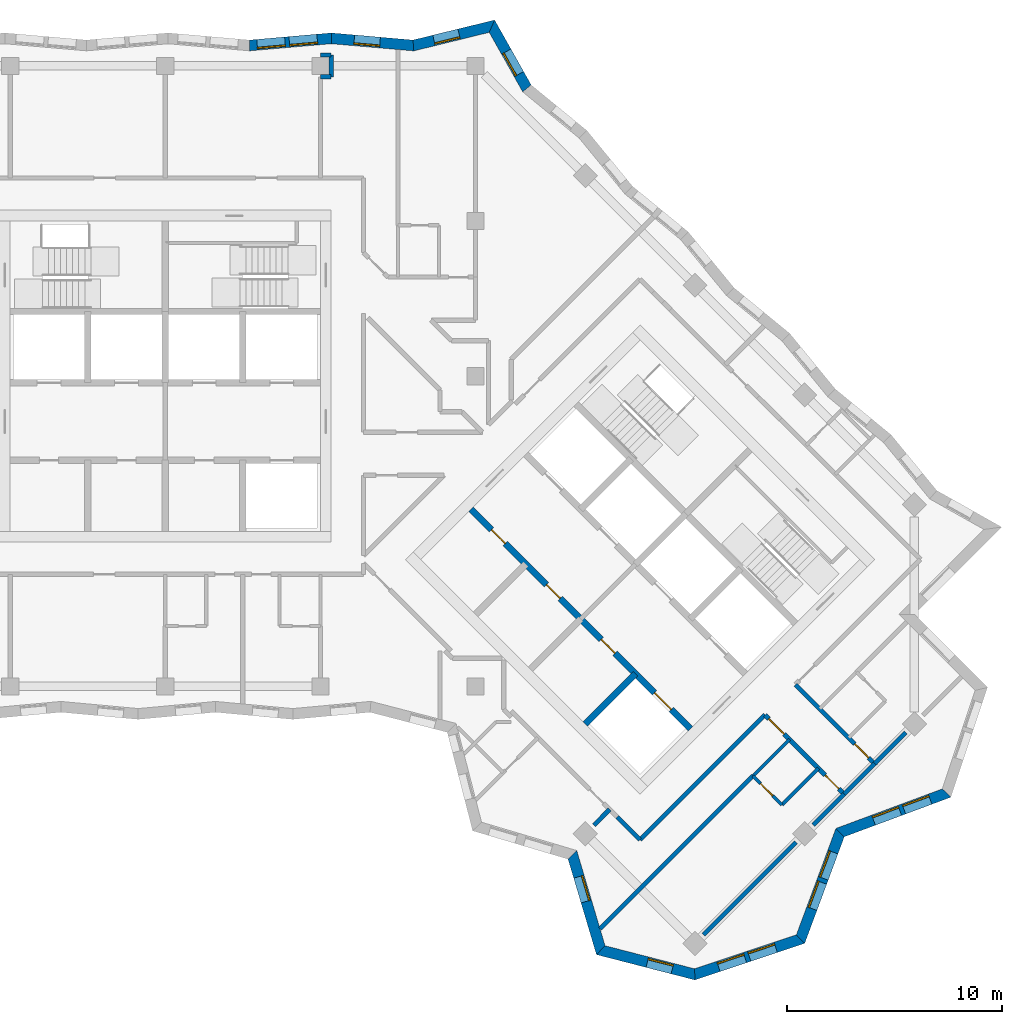
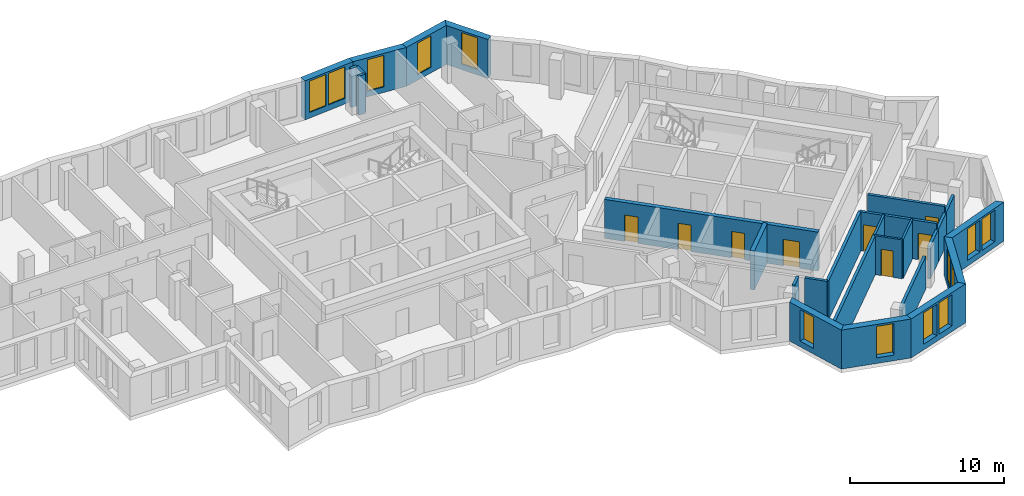
# One storey, part 7 of 11: 27 walls, 13 windows, 8 doors, 21 openings.
"""IFC4 building model written with IfcOpenShell, lengths in metres."""

from ifc_helpers import new_model, si_unit, direction, frame, frame_2d, origin, place, context, subcontext, project, spatial, polyline, rectangle, outline, extrude, material, layer, layer_set, type_object, element, fill, save


model = new_model("IFC4")

# Units and contexts
model_context = context("Model", 3, precision=1e-05, world=origin(), true_north=direction((0.0, 1.0)))
body_context = subcontext(model_context, "Body", "Model", "MODEL_VIEW")
ifc_project = project(units=[si_unit("LENGTHUNIT", "METRE"), si_unit("AREAUNIT", "SQUARE_METRE"), si_unit("VOLUMEUNIT", "CUBIC_METRE"), si_unit("PLANEANGLEUNIT", "RADIAN"), si_unit("MASSUNIT", "GRAM", prefix="KILO")], contexts=[model_context])

# Site, building, storey
site_placement = place(None, origin())
site = spatial("IfcSite", under=ifc_project, at=site_placement, CompositionType="ELEMENT")
building_placement = place(site_placement, origin())
building = spatial("IfcBuilding", under=site, at=building_placement, Name="Windrow Commons", CompositionType="ELEMENT")
storey_placement = place(building_placement, frame((0.0, 0.0, 193.0)))
storey = spatial("IfcBuildingStorey", under=building, at=storey_placement, Name="L52", CompositionType="ELEMENT", Elevation=193.0)

# Wall, openings, windows
ifc_material_1 = material(Name="Brick masonry, red clay brick", Category="masonry")
ifc_layer_1 = layer(ifc_material_1, 0.5)
ifc_layer_set_1 = layer_set([ifc_layer_1], Name="Brick facade wall 500")
wall_type_1 = type_object("IfcWallType", Name="Brick facade wall 500", PredefinedType="SOLIDWALL", material=ifc_layer_set_1)
wall_1_placement = place(storey_placement, frame((89.3732, 29.8341, 0.0), z_axis=(0.0, 0.0, 1.0), x_axis=(0.9486871642, 0.3162161674, 0.0)))
wall_1 = element("IfcWall", 1, at=wall_1_placement, inside=storey, type_object=wall_type_1, Name="Brick facade wall L52 1", PredefinedType="SOLIDWALL", context=body_context, shape_type="SweptSolid", body=[
    extrude(outline(polyline([(-0.0738, -0.25), (5.2928, -0.25), (5.0533, 0.25), (0.0738, 0.25), (-0.0738, -0.25)])), origin(), (0.0, 0.0, 1.0), 3.1),
])
opening_1_placement = place(wall_1_placement, frame((1.1581, 0.0, 0.45)))
opening_1 = element("IfcOpeningElement", 2, at=opening_1_placement, cuts=wall_1, Name="Opening W1Q", PredefinedType="OPENING", context=body_context, shape_type="SweptSolid", body=[
    extrude(rectangle(XDim=1.3, YDim=2.5, at=frame_2d((0.65, 1.25))), frame((0.0, 0.26, 0.0), z_axis=(0.0, -1.0, 0.0), x_axis=(1.0, 0.0, 0.0)), (0.0, 0.0, 1.0), 0.52),
])
opening_2_placement = place(wall_1_placement, frame((2.6581, 0.0, 0.45)))
opening_2 = element("IfcOpeningElement", 3, at=opening_2_placement, cuts=wall_1, Name="Opening W1Q", PredefinedType="OPENING", context=body_context, shape_type="SweptSolid", body=[
    extrude(rectangle(XDim=1.3, YDim=2.5, at=frame_2d((0.65, 1.25))), frame((0.0, 0.26, 0.0), z_axis=(0.0, -1.0, 0.0), x_axis=(1.0, 0.0, 0.0)), (0.0, 0.0, 1.0), 0.52),
])
ifc_material_2 = material(Name="Clear float glass in anodised aluminium frame", Category="aluminium")
window_type_1 = type_object("IfcWindowType", Name="Window W1Q pair 1300x2500", PartitioningType="SINGLE_PANEL", PredefinedType="WINDOW", material=ifc_material_2)
window_1_placement = place(opening_1_placement, origin())
window_1 = element("IfcWindow", 4, at=window_1_placement, inside=storey, type_object=window_type_1, Name="Window L52 1.1A", OverallHeight=2.5, OverallWidth=1.3, PartitioningType="SINGLE_PANEL", PredefinedType="WINDOW", context=body_context, shape_type="SweptSolid", body=[
    extrude(rectangle(XDim=1.3, YDim=2.5, at=frame_2d((0.65, 1.25))), frame((0.0, 0.18, 0.0), z_axis=(0.0, -1.0, 0.0), x_axis=(1.0, 0.0, 0.0)), (0.0, 0.0, 1.0), 0.06),
])
fill(opening_1, window_1)
window_2_placement = place(opening_2_placement, origin())
window_2 = element("IfcWindow", 5, at=window_2_placement, inside=storey, type_object=window_type_1, Name="Window L52 1.1B", OverallHeight=2.5, OverallWidth=1.3, PartitioningType="SINGLE_PANEL", PredefinedType="WINDOW", context=body_context, shape_type="SweptSolid", body=[
    extrude(rectangle(XDim=1.3, YDim=2.5, at=frame_2d((0.65, 1.25))), frame((0.0, 0.18, 0.0), z_axis=(0.0, -1.0, 0.0), x_axis=(1.0, 0.0, 0.0)), (0.0, 0.0, 1.0), 0.06),
])
fill(opening_2, window_2)

wall_2_placement = place(storey_placement, frame((94.2808, 31.4699, 0.0), z_axis=(0.0, 0.0, 1.0), x_axis=(0.3481903374, 0.9374238577, 0.0)))
wall_2 = element("IfcWall", 6, at=wall_2_placement, inside=storey, type_object=wall_type_1, Name="Brick facade wall L52 2", PredefinedType="SOLIDWALL", context=body_context, shape_type="SweptSolid", body=[
    extrude(outline(polyline([(-0.1197, -0.25), (5.1604, -0.25), (5.3896, 0.25), (0.1197, 0.25), (-0.1197, -0.25)])), origin(), (0.0, 0.0, 1.0), 3.1),
])
opening_3_placement = place(wall_2_placement, frame((1.5123, 0.0, 0.45)))
opening_3 = element("IfcOpeningElement", 7, at=opening_3_placement, cuts=wall_2, Name="Opening W1Q", PredefinedType="OPENING", context=body_context, shape_type="SweptSolid", body=[
    extrude(rectangle(XDim=1.3, YDim=2.5, at=frame_2d((0.65, 1.25))), frame((0.0, 0.26, 0.0), z_axis=(0.0, -1.0, 0.0), x_axis=(1.0, 0.0, 0.0)), (0.0, 0.0, 1.0), 0.52),
])
opening_4_placement = place(wall_2_placement, frame((3.0123, 0.0, 0.45)))
opening_4 = element("IfcOpeningElement", 8, at=opening_4_placement, cuts=wall_2, Name="Opening W1Q", PredefinedType="OPENING", context=body_context, shape_type="SweptSolid", body=[
    extrude(rectangle(XDim=1.3, YDim=2.5, at=frame_2d((0.65, 1.25))), frame((0.0, 0.26, 0.0), z_axis=(0.0, -1.0, 0.0), x_axis=(1.0, 0.0, 0.0)), (0.0, 0.0, 1.0), 0.52),
])
window_3_placement = place(opening_3_placement, origin())
window_3 = element("IfcWindow", 9, at=window_3_placement, inside=storey, type_object=window_type_1, Name="Window L52 2.1A", OverallHeight=2.5, OverallWidth=1.3, PartitioningType="SINGLE_PANEL", PredefinedType="WINDOW", context=body_context, shape_type="SweptSolid", body=[
    extrude(rectangle(XDim=1.3, YDim=2.5, at=frame_2d((0.65, 1.25))), frame((0.0, 0.18, 0.0), z_axis=(0.0, -1.0, 0.0), x_axis=(1.0, 0.0, 0.0)), (0.0, 0.0, 1.0), 0.06),
])
fill(opening_3, window_3)
window_4_placement = place(opening_4_placement, origin())
window_4 = element("IfcWindow", 10, at=window_4_placement, inside=storey, type_object=window_type_1, Name="Window L52 2.1B", OverallHeight=2.5, OverallWidth=1.3, PartitioningType="SINGLE_PANEL", PredefinedType="WINDOW", context=body_context, shape_type="SweptSolid", body=[
    extrude(rectangle(XDim=1.3, YDim=2.5, at=frame_2d((0.65, 1.25))), frame((0.0, 0.18, 0.0), z_axis=(0.0, -1.0, 0.0), x_axis=(1.0, 0.0, 0.0)), (0.0, 0.0, 1.0), 0.06),
])
fill(opening_4, window_4)

wall_3_placement = place(storey_placement, frame((96.1175, 36.4148, 0.0), z_axis=(0.0, 0.0, 1.0), x_axis=(0.9374238577, 0.3481903374, 0.0)))
wall_3 = element("IfcWall", 11, at=wall_3_placement, inside=storey, type_object=wall_type_1, Name="Brick facade wall L52 3", PredefinedType="SOLIDWALL", context=body_context, shape_type="SweptSolid", body=[
    extrude(outline(polyline([(0.1146, -0.25), (5.3947, -0.25), (5.1552, 0.25), (-0.1146, 0.25), (0.1146, -0.25)])), origin(), (0.0, 0.0, 1.0), 3.1),
])
opening_5_placement = place(wall_3_placement, frame((1.655, 0.0, 0.45)))
opening_5 = element("IfcOpeningElement", 12, at=opening_5_placement, cuts=wall_3, Name="Opening W1Q", PredefinedType="OPENING", context=body_context, shape_type="SweptSolid", body=[
    extrude(rectangle(XDim=1.3, YDim=2.5, at=frame_2d((0.65, 1.25))), frame((0.0, 0.26, 0.0), z_axis=(0.0, -1.0, 0.0), x_axis=(1.0, 0.0, 0.0)), (0.0, 0.0, 1.0), 0.52),
])
opening_6_placement = place(wall_3_placement, frame((3.155, 0.0, 0.45)))
opening_6 = element("IfcOpeningElement", 13, at=opening_6_placement, cuts=wall_3, Name="Opening W1Q", PredefinedType="OPENING", context=body_context, shape_type="SweptSolid", body=[
    extrude(rectangle(XDim=1.3, YDim=2.5, at=frame_2d((0.65, 1.25))), frame((0.0, 0.26, 0.0), z_axis=(0.0, -1.0, 0.0), x_axis=(1.0, 0.0, 0.0)), (0.0, 0.0, 1.0), 0.52),
])
window_5_placement = place(opening_5_placement, origin())
window_5 = element("IfcWindow", 14, at=window_5_placement, inside=storey, type_object=window_type_1, Name="Window L52 3.1A", OverallHeight=2.5, OverallWidth=1.3, PartitioningType="SINGLE_PANEL", PredefinedType="WINDOW", context=body_context, shape_type="SweptSolid", body=[
    extrude(rectangle(XDim=1.3, YDim=2.5, at=frame_2d((0.65, 1.25))), frame((0.0, 0.18, 0.0), z_axis=(0.0, -1.0, 0.0), x_axis=(1.0, 0.0, 0.0)), (0.0, 0.0, 1.0), 0.06),
])
fill(opening_5, window_5)
window_6_placement = place(opening_6_placement, origin())
window_6 = element("IfcWindow", 15, at=window_6_placement, inside=storey, type_object=window_type_1, Name="Window L52 3.1B", OverallHeight=2.5, OverallWidth=1.3, PartitioningType="SINGLE_PANEL", PredefinedType="WINDOW", context=body_context, shape_type="SweptSolid", body=[
    extrude(rectangle(XDim=1.3, YDim=2.5, at=frame_2d((0.65, 1.25))), frame((0.0, 0.18, 0.0), z_axis=(0.0, -1.0, 0.0), x_axis=(1.0, 0.0, 0.0)), (0.0, 0.0, 1.0), 0.06),
])
fill(opening_6, window_6)

# Wall, opening, window
wall_4_placement = place(storey_placement, frame((81.5833, 70.9554, 0.0), z_axis=(0.0, 0.0, 1.0), x_axis=(-0.4907169028, 0.8713190697, 0.0)))
wall_4 = element("IfcWall", 16, at=wall_4_placement, inside=storey, type_object=wall_type_1, Name="Brick facade wall L52 16", PredefinedType="SOLIDWALL", context=body_context, shape_type="SweptSolid", body=[
    extrude(outline(polyline([(0.047, -0.25), (3.5027, -0.25), (3.1231, 0.25), (-0.047, 0.25), (0.047, -0.25)])), origin(), (0.0, 0.0, 1.0), 3.1),
])
opening_7_placement = place(wall_4_placement, frame((0.7584, 0.0, 0.45)))
opening_7 = element("IfcOpeningElement", 17, at=opening_7_placement, cuts=wall_4, Name="Opening W7E", PredefinedType="OPENING", context=body_context, shape_type="SweptSolid", body=[
    extrude(rectangle(XDim=1.2, YDim=2.5, at=frame_2d((0.6, 1.25))), frame((0.0, 0.26, 0.0), z_axis=(0.0, -1.0, 0.0), x_axis=(1.0, 0.0, 0.0)), (0.0, 0.0, 1.0), 0.52),
])
ifc_material_3 = material(Name="Clear float glass in anodised aluminium frame", Category="aluminium")
window_type_2 = type_object("IfcWindowType", Name="Window W7 notch 1200x2500", PartitioningType="SINGLE_PANEL", PredefinedType="WINDOW", material=ifc_material_3)
window_7_placement = place(opening_7_placement, origin())
window_7 = element("IfcWindow", 18, at=window_7_placement, inside=storey, type_object=window_type_2, Name="Window L52 16.1", OverallHeight=2.5, OverallWidth=1.2, PartitioningType="SINGLE_PANEL", PredefinedType="WINDOW", context=body_context, shape_type="SweptSolid", body=[
    extrude(rectangle(XDim=1.2, YDim=2.5, at=frame_2d((0.6, 1.25))), frame((0.0, 0.18, 0.0), z_axis=(0.0, -1.0, 0.0), x_axis=(1.0, 0.0, 0.0)), (0.0, 0.0, 1.0), 0.06),
])
fill(opening_7, window_7)

wall_5_placement = place(storey_placement, frame((79.9576, 73.842, 0.0), z_axis=(0.0, 0.0, 1.0), x_axis=(-0.9711637083, -0.2384136147, 0.0)))
wall_5 = element("IfcWall", 19, at=wall_5_placement, inside=storey, type_object=wall_type_1, Name="Brick facade wall L52 17", PredefinedType="SOLIDWALL", context=body_context, shape_type="SweptSolid", body=[
    extrude(outline(polyline([(-0.1898, -0.25), (3.711, -0.25), (3.7936, 0.25), (0.1898, 0.25), (-0.1898, -0.25)])), origin(), (0.0, 0.0, 1.0), 3.1),
])
opening_8_placement = place(wall_5_placement, frame((1.5662, 0.0, 0.45)))
opening_8 = element("IfcOpeningElement", 20, at=opening_8_placement, cuts=wall_5, Name="Opening W7E", PredefinedType="OPENING", context=body_context, shape_type="SweptSolid", body=[
    extrude(rectangle(XDim=1.2, YDim=2.5, at=frame_2d((0.6, 1.25))), frame((0.0, 0.26, 0.0), z_axis=(0.0, -1.0, 0.0), x_axis=(1.0, 0.0, 0.0)), (0.0, 0.0, 1.0), 0.52),
])
window_8_placement = place(opening_8_placement, origin())
window_8 = element("IfcWindow", 21, at=window_8_placement, inside=storey, type_object=window_type_2, Name="Window L52 17.1", OverallHeight=2.5, OverallWidth=1.2, PartitioningType="SINGLE_PANEL", PredefinedType="WINDOW", context=body_context, shape_type="SweptSolid", body=[
    extrude(rectangle(XDim=1.2, YDim=2.5, at=frame_2d((0.6, 1.25))), frame((0.0, 0.18, 0.0), z_axis=(0.0, -1.0, 0.0), x_axis=(1.0, 0.0, 0.0)), (0.0, 0.0, 1.0), 0.06),
])
fill(opening_8, window_8)

wall_6_placement = place(storey_placement, frame((76.3135, 72.9474, 0.0), z_axis=(0.0, 0.0, 1.0), x_axis=(-0.9962271263, 0.0867842891, 0.0)))
wall_6 = element("IfcWall", 22, at=wall_6_placement, inside=storey, type_object=wall_type_1, Name="Brick facade wall L52 18", PredefinedType="SOLIDWALL", context=body_context, shape_type="SweptSolid", body=[
    extrude(outline(polyline([(0.0413, -0.25), (3.8439, -0.25), (3.8004, 0.25), (-0.0413, 0.25), (0.0413, -0.25)])), origin(), (0.0, 0.0, 1.0), 3.1),
])
opening_9_placement = place(wall_6_placement, frame((1.5583, 0.0, 0.45)))
opening_9 = element("IfcOpeningElement", 23, at=opening_9_placement, cuts=wall_6, Name="Opening W7E", PredefinedType="OPENING", context=body_context, shape_type="SweptSolid", body=[
    extrude(rectangle(XDim=1.2, YDim=2.5, at=frame_2d((0.6, 1.25))), frame((0.0, 0.26, 0.0), z_axis=(0.0, -1.0, 0.0), x_axis=(1.0, 0.0, 0.0)), (0.0, 0.0, 1.0), 0.52),
])
window_9_placement = place(opening_9_placement, origin())
window_9 = element("IfcWindow", 24, at=window_9_placement, inside=storey, type_object=window_type_2, Name="Window L52 18.1", OverallHeight=2.5, OverallWidth=1.2, PartitioningType="SINGLE_PANEL", PredefinedType="WINDOW", context=body_context, shape_type="SweptSolid", body=[
    extrude(rectangle(XDim=1.2, YDim=2.5, at=frame_2d((0.6, 1.25))), frame((0.0, 0.18, 0.0), z_axis=(0.0, -1.0, 0.0), x_axis=(1.0, 0.0, 0.0)), (0.0, 0.0, 1.0), 0.06),
])
fill(opening_9, window_9)

# Wall, openings, windows
wall_7_placement = place(storey_placement, frame((72.5058, 73.2791, 0.0), z_axis=(0.0, 0.0, 1.0), x_axis=(-0.9962273538, -0.0867816769, 0.0)))
wall_7 = element("IfcWall", 25, at=wall_7_placement, inside=storey, type_object=wall_type_1, Name="Brick facade wall L52 19", PredefinedType="SOLIDWALL", context=body_context, shape_type="SweptSolid", body=[
    extrude(outline(polyline([(-0.0218, -0.25), (3.7808, -0.25), (3.8244, 0.25), (0.0218, 0.25), (-0.0218, -0.25)])), origin(), (0.0, 0.0, 1.0), 3.1),
])
opening_10_placement = place(wall_7_placement, frame((0.6552, 0.0, 0.45)))
opening_10 = element("IfcOpeningElement", 26, at=opening_10_placement, cuts=wall_7, Name="Opening W1Q", PredefinedType="OPENING", context=body_context, shape_type="SweptSolid", body=[
    extrude(rectangle(XDim=1.3, YDim=2.5, at=frame_2d((0.65, 1.25))), frame((0.0, 0.26, 0.0), z_axis=(0.0, -1.0, 0.0), x_axis=(1.0, 0.0, 0.0)), (0.0, 0.0, 1.0), 0.52),
])
opening_11_placement = place(wall_7_placement, frame((2.1552, 0.0, 0.45)))
opening_11 = element("IfcOpeningElement", 27, at=opening_11_placement, cuts=wall_7, Name="Opening W1Q", PredefinedType="OPENING", context=body_context, shape_type="SweptSolid", body=[
    extrude(rectangle(XDim=1.3, YDim=2.5, at=frame_2d((0.65, 1.25))), frame((0.0, 0.26, 0.0), z_axis=(0.0, -1.0, 0.0), x_axis=(1.0, 0.0, 0.0)), (0.0, 0.0, 1.0), 0.52),
])
window_10_placement = place(opening_10_placement, origin())
window_10 = element("IfcWindow", 28, at=window_10_placement, inside=storey, type_object=window_type_1, Name="Window L52 19.1A", OverallHeight=2.5, OverallWidth=1.3, PartitioningType="SINGLE_PANEL", PredefinedType="WINDOW", context=body_context, shape_type="SweptSolid", body=[
    extrude(rectangle(XDim=1.3, YDim=2.5, at=frame_2d((0.65, 1.25))), frame((0.0, 0.18, 0.0), z_axis=(0.0, -1.0, 0.0), x_axis=(1.0, 0.0, 0.0)), (0.0, 0.0, 1.0), 0.06),
])
fill(opening_10, window_10)
window_11_placement = place(opening_11_placement, origin())
window_11 = element("IfcWindow", 29, at=window_11_placement, inside=storey, type_object=window_type_1, Name="Window L52 19.1B", OverallHeight=2.5, OverallWidth=1.3, PartitioningType="SINGLE_PANEL", PredefinedType="WINDOW", context=body_context, shape_type="SweptSolid", body=[
    extrude(rectangle(XDim=1.3, YDim=2.5, at=frame_2d((0.65, 1.25))), frame((0.0, 0.18, 0.0), z_axis=(0.0, -1.0, 0.0), x_axis=(1.0, 0.0, 0.0)), (0.0, 0.0, 1.0), 0.06),
])
fill(opening_11, window_11)

# Wall, opening, window
wall_8_placement = place(storey_placement, frame((83.6937, 35.3814, 0.0), z_axis=(0.0, 0.0, 1.0), x_axis=(0.2852661522, -0.958448341, 0.0)))
wall_8 = element("IfcWall", 30, at=wall_8_placement, inside=storey, type_object=wall_type_1, Name="Brick facade wall L52 50", PredefinedType="SOLIDWALL", context=body_context, shape_type="SweptSolid", body=[
    extrude(outline(polyline([(0.1353, -0.25), (4.7571, -0.25), (4.4743, 0.25), (-0.1353, 0.25), (0.1353, -0.25)])), origin(), (0.0, 0.0, 1.0), 3.1),
])
opening_12_placement = place(wall_8_placement, frame((1.0553, 0.0, 0.45)))
opening_12 = element("IfcOpeningElement", 31, at=opening_12_placement, cuts=wall_8, Name="Opening W7E", PredefinedType="OPENING", context=body_context, shape_type="SweptSolid", body=[
    extrude(rectangle(XDim=1.2, YDim=2.5, at=frame_2d((0.6, 1.25))), frame((0.0, 0.26, 0.0), z_axis=(0.0, -1.0, 0.0), x_axis=(1.0, 0.0, 0.0)), (0.0, 0.0, 1.0), 0.52),
])
window_12_placement = place(opening_12_placement, origin())
window_12 = element("IfcWindow", 32, at=window_12_placement, inside=storey, type_object=window_type_2, Name="Window L52 50.1", OverallHeight=2.5, OverallWidth=1.2, PartitioningType="SINGLE_PANEL", PredefinedType="WINDOW", context=body_context, shape_type="SweptSolid", body=[
    extrude(rectangle(XDim=1.2, YDim=2.5, at=frame_2d((0.6, 1.25))), frame((0.0, 0.18, 0.0), z_axis=(0.0, -1.0, 0.0), x_axis=(1.0, 0.0, 0.0)), (0.0, 0.0, 1.0), 0.06),
])
fill(opening_12, window_12)

wall_9_placement = place(storey_placement, frame((85.0104, 30.9575, 0.0), z_axis=(0.0, 0.0, 1.0), x_axis=(0.9684105843, -0.2493610641, 0.0)))
wall_9 = element("IfcWall", 33, at=wall_9_placement, inside=storey, type_object=wall_type_1, Name="Brick facade wall L52 51", PredefinedType="SOLIDWALL", context=body_context, shape_type="SweptSolid", body=[
    extrude(outline(polyline([(-0.1414, -0.25), (4.5789, -0.25), (4.4314, 0.25), (0.1414, 0.25), (-0.1414, -0.25)])), origin(), (0.0, 0.0, 1.0), 3.1),
])
opening_13_placement = place(wall_9_placement, frame((2.2331, 0.0, 0.45)))
opening_13 = element("IfcOpeningElement", 34, at=opening_13_placement, cuts=wall_9, Name="Opening W7E", PredefinedType="OPENING", context=body_context, shape_type="SweptSolid", body=[
    extrude(rectangle(XDim=1.2, YDim=2.5, at=frame_2d((0.6, 1.25))), frame((0.0, 0.26, 0.0), z_axis=(0.0, -1.0, 0.0), x_axis=(1.0, 0.0, 0.0)), (0.0, 0.0, 1.0), 0.52),
])
window_13_placement = place(opening_13_placement, origin())
window_13 = element("IfcWindow", 35, at=window_13_placement, inside=storey, type_object=window_type_2, Name="Window L52 51.1", OverallHeight=2.5, OverallWidth=1.2, PartitioningType="SINGLE_PANEL", PredefinedType="WINDOW", context=body_context, shape_type="SweptSolid", body=[
    extrude(rectangle(XDim=1.2, YDim=2.5, at=frame_2d((0.6, 1.25))), frame((0.0, 0.18, 0.0), z_axis=(0.0, -1.0, 0.0), x_axis=(1.0, 0.0, 0.0)), (0.0, 0.0, 1.0), 0.06),
])
fill(opening_13, window_13)

# Wall
ifc_material_4 = material(Name="Blockwork partition", Category="masonry")
ifc_layer_2 = layer(ifc_material_4, 0.2)
ifc_layer_set_2 = layer_set([ifc_layer_2], Name="IW-CORRIDOR-200")
wall_type_2 = type_object("IfcWallType", Name="IW-CORRIDOR-200", PredefinedType="PARTITIONING", material=ifc_layer_set_2)
wall_10_placement = place(storey_placement, frame((86.8351, 36.0789, 0.0), z_axis=(0.0, 0.0, 1.0), x_axis=(0.7071067812, 0.7071067812, 0.0)))
element("IfcWall", 36, at=wall_10_placement, inside=storey, type_object=wall_type_2, Name="W-L52-W009", PredefinedType="PARTITIONING", context=body_context, shape_type="SweptSolid", body=[
    extrude(rectangle(XDim=8.1996, YDim=0.2, at=frame_2d((4.0998, 0.0))), origin(), (0.0, 0.0, 1.0), 3.1),
])

# Wall, opening, door
wall_11_placement = place(storey_placement, frame((94.0471, 43.2871, 0.0), z_axis=(0.0, 0.0, 1.0), x_axis=(0.7071067812, -0.7071067812, 0.0)))
wall_11 = element("IfcWall", 37, at=wall_11_placement, inside=storey, type_object=wall_type_2, Name="W-L52-W034", PredefinedType="PARTITIONING", context=body_context, shape_type="SweptSolid", body=[
    extrude(rectangle(XDim=5.1986, YDim=0.2, at=frame_2d((2.5993, 0.0))), origin(), (0.0, 0.0, 1.0), 3.1),
])
opening_14_placement = place(wall_11_placement, frame((3.8984, 0.0, 0.0)))
opening_14 = element("IfcOpeningElement", 38, at=opening_14_placement, cuts=wall_11, Name="Opening D109S", PredefinedType="OPENING", context=body_context, shape_type="SweptSolid", body=[
    extrude(rectangle(XDim=0.9, YDim=2.1, at=frame_2d((0.45, 1.05))), frame((0.0, 0.11, 0.0), z_axis=(0.0, -1.0, 0.0), x_axis=(1.0, 0.0, 0.0)), (0.0, 0.0, 1.0), 0.22),
])
ifc_material_5 = material(Name="Timber door leaf", Category="wood")
door_type_1 = type_object("IfcDoorType", Name="DT-BEDROOM-900", OperationType="SINGLE_SWING_LEFT", PredefinedType="DOOR", material=ifc_material_5)
door_1_placement = place(opening_14_placement, origin())
door_1 = element("IfcDoor", 39, at=door_1_placement, inside=storey, type_object=door_type_1, Name="D-L52-D041", OperationType="SINGLE_SWING_RIGHT", OverallHeight=2.1, OverallWidth=0.9, PredefinedType="DOOR", context=body_context, shape_type="SweptSolid", body=[
    extrude(rectangle(XDim=0.9, YDim=2.1, at=frame_2d((0.45, 1.05))), frame((0.0, 0.025, 0.0), z_axis=(0.0, -1.0, 0.0), x_axis=(1.0, 0.0, 0.0)), (0.0, 0.0, 1.0), 0.05),
])
fill(opening_14, door_1)

# Wall, openings, doors
wall_12_placement = place(storey_placement, frame((92.6329, 41.8729, 0.0), z_axis=(0.0, 0.0, 1.0), x_axis=(0.7071067812, -0.7071067812, 0.0)))
wall_12 = element("IfcWall", 40, at=wall_12_placement, inside=storey, type_object=wall_type_2, Name="W-L52-W035", PredefinedType="PARTITIONING", context=body_context, shape_type="SweptSolid", body=[
    extrude(rectangle(XDim=5.1986, YDim=0.2, at=frame_2d((2.5993, 0.0))), origin(), (0.0, 0.0, 1.0), 3.1),
])
opening_15_placement = place(wall_12_placement, frame((0.253, 0.0, 0.0)))
opening_15 = element("IfcOpeningElement", 41, at=opening_15_placement, cuts=wall_12, Name="Opening D310F", PredefinedType="OPENING", context=body_context, shape_type="SweptSolid", body=[
    extrude(rectangle(XDim=1.0, YDim=2.1, at=frame_2d((0.5, 1.05))), frame((0.0, 0.11, 0.0), z_axis=(0.0, -1.0, 0.0), x_axis=(1.0, 0.0, 0.0)), (0.0, 0.0, 1.0), 0.22),
])
opening_16_placement = place(wall_12_placement, frame((3.9484, 0.0, 0.0)))
opening_16 = element("IfcOpeningElement", 42, at=opening_16_placement, cuts=wall_12, Name="Opening D109S", PredefinedType="OPENING", context=body_context, shape_type="SweptSolid", body=[
    extrude(rectangle(XDim=0.9, YDim=2.1, at=frame_2d((0.45, 1.05))), frame((0.0, 0.11, 0.0), z_axis=(0.0, -1.0, 0.0), x_axis=(1.0, 0.0, 0.0)), (0.0, 0.0, 1.0), 0.22),
])
ifc_material_6 = material(Name="Timber door leaf", Category="wood")
door_type_2 = type_object("IfcDoorType", Name="DT-AMENITY-1000", OperationType="SINGLE_SWING_LEFT", PredefinedType="DOOR", material=ifc_material_6)
door_2_placement = place(opening_15_placement, origin())
door_2 = element("IfcDoor", 43, at=door_2_placement, inside=storey, type_object=door_type_2, Name="D-L52-D038", OperationType="SINGLE_SWING_RIGHT", OverallHeight=2.1, OverallWidth=1.0, PredefinedType="DOOR", context=body_context, shape_type="SweptSolid", body=[
    extrude(rectangle(XDim=1.0, YDim=2.1, at=frame_2d((0.5, 1.05))), frame((0.0, 0.025, 0.0), z_axis=(0.0, -1.0, 0.0), x_axis=(1.0, 0.0, 0.0)), (0.0, 0.0, 1.0), 0.05),
])
fill(opening_15, door_2)
door_3_placement = place(opening_16_placement, origin())
door_3 = element("IfcDoor", 44, at=door_3_placement, inside=storey, type_object=door_type_1, Name="D-L52-D039", OperationType="SINGLE_SWING_LEFT", OverallHeight=2.1, OverallWidth=0.9, PredefinedType="DOOR", context=body_context, shape_type="SweptSolid", body=[
    extrude(rectangle(XDim=0.9, YDim=2.1, at=frame_2d((0.45, 1.05))), frame((0.0, 0.025, 0.0), z_axis=(0.0, -1.0, 0.0), x_axis=(1.0, 0.0, 0.0)), (0.0, 0.0, 1.0), 0.05),
])
fill(opening_16, door_3)

# Walls
wall_13_placement = place(storey_placement, frame((96.311, 38.201, 0.0), z_axis=(0.0, 0.0, 1.0), x_axis=(0.7071067812, 0.7071067812, 0.0)))
element("IfcWall", 45, at=wall_13_placement, inside=storey, type_object=wall_type_2, Name="W-L52-W101", PredefinedType="PARTITIONING", context=body_context, shape_type="SweptSolid", body=[
    extrude(rectangle(XDim=1.9997, YDim=0.2, at=frame_2d((0.9999, 0.0))), origin(), (0.0, 0.0, 1.0), 2.6),
])
wall_14_placement = place(storey_placement, frame((85.778, 37.142, 0.0), z_axis=(0.0, 0.0, 1.0), x_axis=(0.7064400143, -0.70777292, 0.0)))
element("IfcWall", 46, at=wall_14_placement, inside=storey, type_object=wall_type_2, Name="W-L52-W117", PredefinedType="PARTITIONING", context=body_context, shape_type="SweptSolid", body=[
    extrude(rectangle(XDim=1.5005, YDim=0.2, at=frame_2d((0.7502, 0.0))), origin(), (0.0, 0.0, 1.0), 3.1),
])
ifc_material_7 = material(Name="Blockwork partition", Category="masonry")
ifc_layer_3 = layer(ifc_material_7, 0.15)
ifc_layer_set_3 = layer_set([ifc_layer_3], Name="IW-ENSUITE-150")
wall_type_3 = type_object("IfcWallType", Name="IW-ENSUITE-150", PredefinedType="PARTITIONING", material=ifc_layer_set_3)
for number, where, z_axis, x_axis, name in (
    (47, (92.0722, 39.0458, 0.0), (0.0, 0.0, 1.0), (0.706689978, 0.7075233388, 0.0), "W-L52-W081"),
    (48, (93.4152, 37.7028, 0.0), (0.0, 0.0, 1.0), (0.7075233388, 0.706689978, 0.0), "W-L52-W082"),
):
    element("IfcWall", number, at=place(storey_placement, frame(where, z_axis=z_axis, x_axis=x_axis)), inside=storey, type_object=wall_type_3, Name=name, PredefinedType="PARTITIONING", context=body_context, shape_type="SweptSolid", body=[
        extrude(rectangle(XDim=2.3999, YDim=0.15, at=frame_2d((1.2, 0.0))), origin(), (0.0, 0.0, 1.0), 3.1),
    ])

# Wall, opening, door
wall_15_placement = place(storey_placement, frame((92.0669, 39.0449, 0.0), z_axis=(0.0, 0.0, 1.0), x_axis=(0.7071067812, -0.7071067812, 0.0)))
wall_15 = element("IfcWall", 49, at=wall_15_placement, inside=storey, type_object=wall_type_3, Name="W-L52-W110", PredefinedType="PARTITIONING", context=body_context, shape_type="SweptSolid", body=[
    extrude(rectangle(XDim=1.8979, YDim=0.15, at=frame_2d((0.9489, 0.0))), origin(), (0.0, 0.0, 1.0), 3.1),
])
opening_17_placement = place(wall_15_placement, frame((0.501, 0.0, 0.0)))
opening_17 = element("IfcOpeningElement", 50, at=opening_17_placement, cuts=wall_15, Name="Opening D208N", PredefinedType="OPENING", context=body_context, shape_type="SweptSolid", body=[
    extrude(rectangle(XDim=0.8, YDim=2.1, at=frame_2d((0.4, 1.05))), frame((0.0, 0.085, 0.0), z_axis=(0.0, -1.0, 0.0), x_axis=(1.0, 0.0, 0.0)), (0.0, 0.0, 1.0), 0.17),
])
ifc_material_8 = material(Name="Timber door leaf", Category="wood")
door_type_3 = type_object("IfcDoorType", Name="DT-ENSUITE-800", OperationType="SINGLE_SWING_LEFT", PredefinedType="DOOR", material=ifc_material_8)
door_4_placement = place(opening_17_placement, origin())
door_4 = element("IfcDoor", 51, at=door_4_placement, inside=storey, type_object=door_type_3, Name="D-L52-D040", OperationType="SINGLE_SWING_RIGHT", OverallHeight=2.1, OverallWidth=0.8, PredefinedType="DOOR", context=body_context, shape_type="SweptSolid", body=[
    extrude(rectangle(XDim=0.8, YDim=2.1, at=frame_2d((0.4, 1.05))), frame((0.0, 0.025, 0.0), z_axis=(0.0, -1.0, 0.0), x_axis=(1.0, 0.0, 0.0)), (0.0, 0.0, 1.0), 0.05),
])
fill(opening_17, door_4)

# Walls
ifc_material_9 = material(Name="Blockwork partition", Category="masonry")
ifc_layer_4 = layer(ifc_material_9, 0.2)
ifc_layer_set_4 = layer_set([ifc_layer_4], Name="IW-PARTY-200")
wall_type_4 = type_object("IfcWallType", Name="IW-PARTY-200", PredefinedType="PARTITIONING", material=ifc_layer_set_4)
wall_16_placement = place(storey_placement, frame((84.9757, 31.9504, 0.0), z_axis=(0.0, 0.0, 1.0), x_axis=(0.7072313319, 0.7069822085, 0.0)))
element("IfcWall", 52, at=wall_16_placement, inside=storey, type_object=wall_type_4, Name="W-L52-W005", PredefinedType="PARTITIONING", context=body_context, shape_type="SweptSolid", body=[
    extrude(rectangle(XDim=10.0352, YDim=0.2, at=frame_2d((5.0176, 0.0))), origin(), (0.0, 0.0, 1.0), 3.1),
])
wall_17_placement = place(storey_placement, frame((89.781, 31.671, 0.0), z_axis=(0.0, 0.0, 1.0), x_axis=(0.7071067812, 0.7071067812, 0.0)))
element("IfcWall", 53, at=wall_17_placement, inside=storey, type_object=wall_type_4, Name="W-L52-W023", PredefinedType="PARTITIONING", context=body_context, shape_type="SweptSolid", body=[
    extrude(rectangle(XDim=6.0698, YDim=0.2, at=frame_2d((3.0349, 0.0))), origin(), (0.0, 0.0, 1.0), 2.6),
])
wall_18_placement = place(storey_placement, frame((97.7268, 39.6132, 0.0), z_axis=(0.0, 0.0, 1.0), x_axis=(0.7066152229, 0.7075979979, 0.0)))
element("IfcWall", 54, at=wall_18_placement, inside=storey, type_object=wall_type_4, Name="W-L52-W096", PredefinedType="PARTITIONING", context=body_context, shape_type="SweptSolid", body=[
    extrude(rectangle(XDim=2.0351, YDim=0.2, at=frame_2d((1.0175, 0.0))), origin(), (0.0, 0.0, 1.0), 2.6),
])
wall_19_placement = place(storey_placement, frame((94.873, 36.763, 0.0), z_axis=(0.0, 0.0, 1.0), x_axis=(0.7071067812, 0.7071067812, 0.0)))
element("IfcWall", 55, at=wall_19_placement, inside=storey, type_object=wall_type_4, Name="W-L52-W097", PredefinedType="PARTITIONING", context=body_context, shape_type="SweptSolid", body=[
    extrude(rectangle(XDim=2.0336, YDim=0.2, at=frame_2d((1.0168, 0.0))), origin(), (0.0, 0.0, 1.0), 2.6),
])
wall_20_placement = place(storey_placement, frame((84.6927, 36.7614, 0.0), z_axis=(0.0, 0.0, 1.0), x_axis=(0.7061388061, 0.708073433, 0.0)))
element("IfcWall", 56, at=wall_20_placement, inside=storey, type_object=wall_type_4, Name="W-L52-W121", PredefinedType="PARTITIONING", context=body_context, shape_type="SweptSolid", body=[
    extrude(rectangle(XDim=1.0338, YDim=0.2, at=frame_2d((0.5169, 0.0))), origin(), (0.0, 0.0, 1.0), 3.1),
])
wall_21_placement = place(storey_placement, frame((72.5, 71.496, 0.0), z_axis=(0.0, 0.0, 1.0), x_axis=(0.0, 1.0, 0.0)))
element("IfcWall", 57, at=wall_21_placement, inside=storey, type_object=wall_type_4, Name="W-L52-W123", PredefinedType="PARTITIONING", context=body_context, shape_type="SweptSolid", body=[
    extrude(rectangle(XDim=1.01, YDim=0.2, at=frame_2d((0.505, 0.0))), origin(), (0.0, 0.0, 1.0), 3.1),
])
for number, where, z_axis, x_axis, name in (
    (58, (72.0, 72.51, 0.0), (0.0, 0.0, 1.0), (1.0, 0.0, 0.0), "W-L52-W132"),
    (59, (72.0, 71.5, 0.0), (0.0, 0.0, 1.0), (1.0, 0.0, 0.0), "W-L52-W133"),
):
    element("IfcWall", number, at=place(storey_placement, frame(where, z_axis=z_axis, x_axis=x_axis)), inside=storey, type_object=wall_type_4, Name=name, PredefinedType="PARTITIONING", context=body_context, shape_type="SweptSolid", body=[
        extrude(rectangle(XDim=0.5, YDim=0.2, at=frame_2d((0.25, 0.0))), origin(), (0.0, 0.0, 1.0), 3.1),
    ])
ifc_material_10 = material(Name="Concrete C40/50", Category="concrete")
ifc_layer_5 = layer(ifc_material_10, 0.3)
ifc_layer_set_5 = layer_set([ifc_layer_5], Name="RC SHAFT WALL 300 C40/50")
wall_type_5 = type_object("IfcWallType", Name="RC SHAFT WALL 300 C40/50", PredefinedType="SOLIDWALL", material=ifc_layer_set_5)
wall_22_placement = place(storey_placement, frame((84.2912, 41.453, 0.0), z_axis=(0.0, 0.0, 1.0), x_axis=(0.7071067812, 0.7071067812, 0.0)))
element("IfcWall", 60, at=wall_22_placement, inside=storey, type_object=wall_type_5, Name="Core B wall shaft-S3", PredefinedType="SOLIDWALL", context=body_context, shape_type="SweptSolid", body=[
    extrude(rectangle(XDim=3.2999, YDim=0.3, at=frame_2d((1.65, 0.0))), origin(), (0.0, 0.0, 1.0), 3.1),
])

# Wall, openings, doors
wall_23_placement = place(storey_placement, frame((78.9879, 51.4232, 0.0), z_axis=(0.0, 0.0, 1.0), x_axis=(0.7071067812, -0.7071067812, 0.0)))
wall_23 = element("IfcWall", 61, at=wall_23_placement, inside=storey, type_object=wall_type_5, Name="Core B wall lobby-S", PredefinedType="SOLIDWALL", context=body_context, shape_type="SweptSolid", body=[
    extrude(rectangle(XDim=14.3999, YDim=0.3, at=frame_2d((7.2, 0.0))), origin(), (0.0, 0.0, 1.0), 3.1),
])
opening_18_placement = place(wall_23_placement, frame((1.35, 0.0, 0.0)))
opening_18 = element("IfcOpeningElement", 62, at=opening_18_placement, cuts=wall_23, Name="Opening D8", PredefinedType="OPENING", context=body_context, shape_type="SweptSolid", body=[
    extrude(rectangle(XDim=0.9, YDim=2.1, at=frame_2d((0.45, 1.05))), frame((0.0, 0.16, 0.0), z_axis=(0.0, -1.0, 0.0), x_axis=(1.0, 0.0, 0.0)), (0.0, 0.0, 1.0), 0.32),
])
opening_19_placement = place(wall_23_placement, frame((4.95, 0.0, 0.0)))
opening_19 = element("IfcOpeningElement", 63, at=opening_19_placement, cuts=wall_23, Name="Opening D8", PredefinedType="OPENING", context=body_context, shape_type="SweptSolid", body=[
    extrude(rectangle(XDim=0.9, YDim=2.1, at=frame_2d((0.45, 1.05))), frame((0.0, 0.16, 0.0), z_axis=(0.0, -1.0, 0.0), x_axis=(1.0, 0.0, 0.0)), (0.0, 0.0, 1.0), 0.32),
])
opening_20_placement = place(wall_23_placement, frame((8.55, 0.0, 0.0)))
opening_20 = element("IfcOpeningElement", 64, at=opening_20_placement, cuts=wall_23, Name="Opening D8", PredefinedType="OPENING", context=body_context, shape_type="SweptSolid", body=[
    extrude(rectangle(XDim=0.9, YDim=2.1, at=frame_2d((0.45, 1.05))), frame((0.0, 0.16, 0.0), z_axis=(0.0, -1.0, 0.0), x_axis=(1.0, 0.0, 0.0)), (0.0, 0.0, 1.0), 0.32),
])
opening_21_placement = place(wall_23_placement, frame((12.05, 0.0, 0.0)))
opening_21 = element("IfcOpeningElement", 65, at=opening_21_placement, cuts=wall_23, Name="Opening LD", PredefinedType="OPENING", context=body_context, shape_type="SweptSolid", body=[
    extrude(rectangle(XDim=1.1, YDim=2.1, at=frame_2d((0.55, 1.05))), frame((0.0, 0.16, 0.0), z_axis=(0.0, -1.0, 0.0), x_axis=(1.0, 0.0, 0.0)), (0.0, 0.0, 1.0), 0.32),
])
ifc_material_11 = material(Name="Steel fire door leaf", Category="steel")
door_type_4 = type_object("IfcDoorType", Name="Core store door 900", OperationType="SINGLE_SWING_LEFT", PredefinedType="DOOR", material=ifc_material_11)
door_5_placement = place(opening_18_placement, origin())
door_5 = element("IfcDoor", 66, at=door_5_placement, inside=storey, type_object=door_type_4, Name="Store door", OperationType="SINGLE_SWING_LEFT", OverallHeight=2.1, OverallWidth=0.9, PredefinedType="DOOR", context=body_context, shape_type="SweptSolid", body=[
    extrude(rectangle(XDim=0.9, YDim=2.1, at=frame_2d((0.45, 1.05))), frame((0.0, 0.025, 0.0), z_axis=(0.0, -1.0, 0.0), x_axis=(1.0, 0.0, 0.0)), (0.0, 0.0, 1.0), 0.05),
])
fill(opening_18, door_5)
door_6_placement = place(opening_19_placement, origin())
door_6 = element("IfcDoor", 67, at=door_6_placement, inside=storey, type_object=door_type_4, Name="Store door", OperationType="SINGLE_SWING_LEFT", OverallHeight=2.1, OverallWidth=0.9, PredefinedType="DOOR", context=body_context, shape_type="SweptSolid", body=[
    extrude(rectangle(XDim=0.9, YDim=2.1, at=frame_2d((0.45, 1.05))), frame((0.0, 0.025, 0.0), z_axis=(0.0, -1.0, 0.0), x_axis=(1.0, 0.0, 0.0)), (0.0, 0.0, 1.0), 0.05),
])
fill(opening_19, door_6)
door_7_placement = place(opening_20_placement, origin())
door_7 = element("IfcDoor", 68, at=door_7_placement, inside=storey, type_object=door_type_4, Name="Store door", OperationType="SINGLE_SWING_LEFT", OverallHeight=2.1, OverallWidth=0.9, PredefinedType="DOOR", context=body_context, shape_type="SweptSolid", body=[
    extrude(rectangle(XDim=0.9, YDim=2.1, at=frame_2d((0.45, 1.05))), frame((0.0, 0.025, 0.0), z_axis=(0.0, -1.0, 0.0), x_axis=(1.0, 0.0, 0.0)), (0.0, 0.0, 1.0), 0.05),
])
fill(opening_20, door_7)
ifc_material_12 = material(Name="Stainless steel door leaf", Category="steel")
door_type_5 = type_object("IfcDoorType", Name="Lift landing door 1100", OperationType="SLIDING_TO_LEFT", PredefinedType="DOOR", material=ifc_material_12)
door_8_placement = place(opening_21_placement, origin())
door_8 = element("IfcDoor", 69, at=door_8_placement, inside=storey, type_object=door_type_5, Name="Lift landing door", OperationType="SLIDING_TO_RIGHT", OverallHeight=2.1, OverallWidth=1.1, PredefinedType="DOOR", context=body_context, shape_type="SweptSolid", body=[
    extrude(rectangle(XDim=1.1, YDim=2.1, at=frame_2d((0.55, 1.05))), frame((0.0, 0.025, 0.0), z_axis=(0.0, -1.0, 0.0), x_axis=(1.0, 0.0, 0.0)), (0.0, 0.0, 1.0), 0.05),
])
fill(opening_21, door_8)

save(model, "model.ifc")
